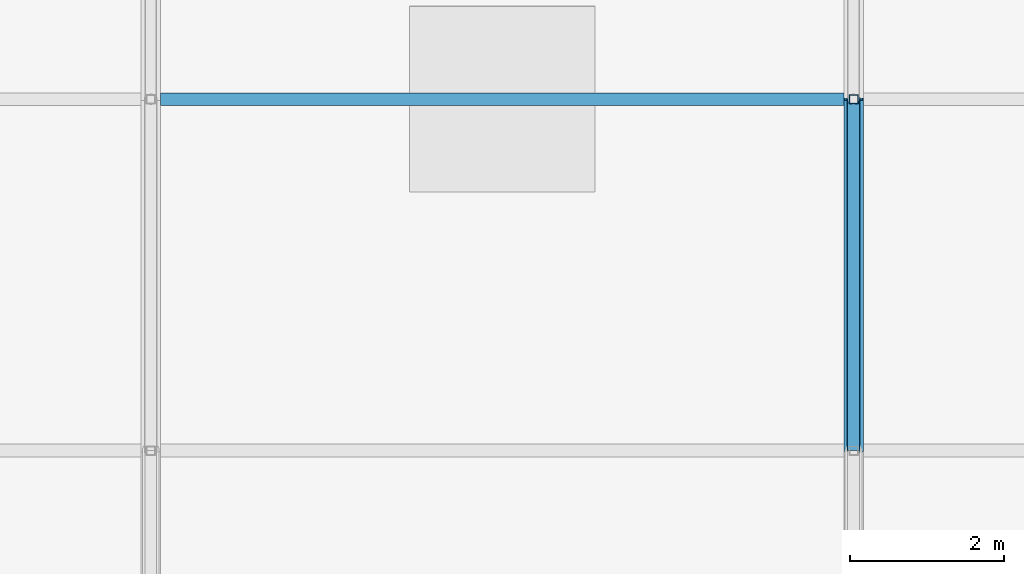
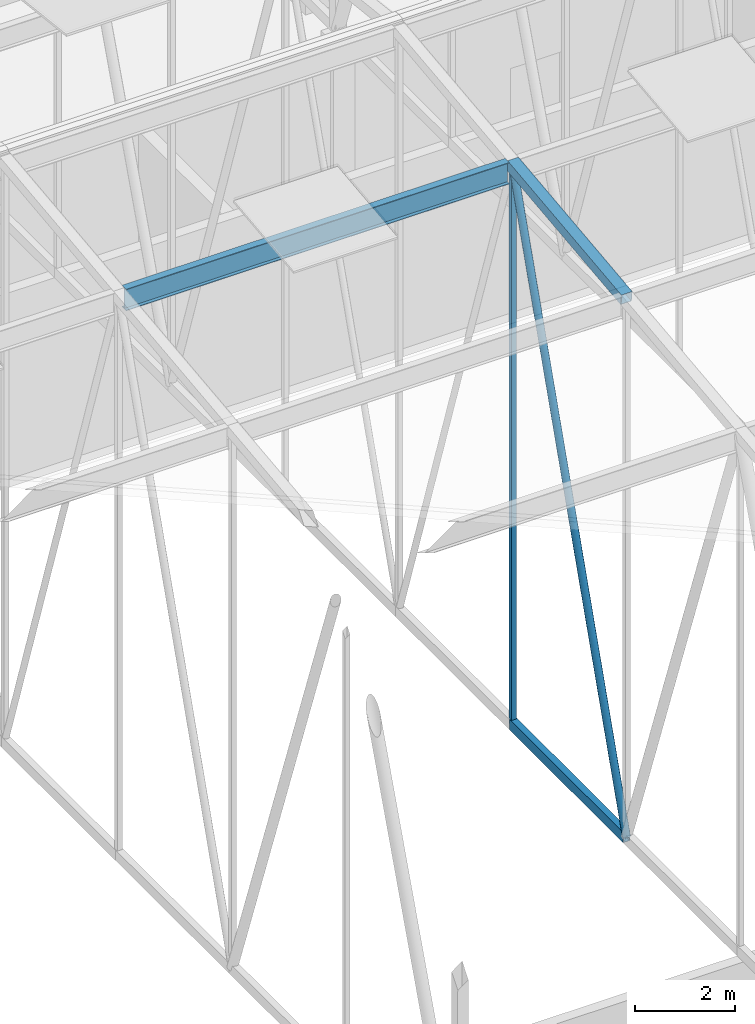
# One storey, part 165 of 500: 5 members.
"""IFC4 building model written with IfcOpenShell, lengths in metres."""

from ifc_helpers import new_model, si_unit, direction, frame, origin, origin_2d, place, context, subcontext, project, spatial, hollow_rectangle, hollow_circle, i_section, extrude, material, material_profile, profile_set, type_object, element, save


model = new_model("IFC4")

# Units and contexts
model_context = context("Model", 3, precision=1e-05, world=origin(), true_north=direction((0.0, 1.0)))
body_context = subcontext(model_context, "Body", "Model", "MODEL_VIEW")
ifc_project = project(units=[si_unit("LENGTHUNIT", "METRE"), si_unit("AREAUNIT", "SQUARE_METRE"), si_unit("VOLUMEUNIT", "CUBIC_METRE"), si_unit("PLANEANGLEUNIT", "RADIAN"), si_unit("MASSUNIT", "GRAM", prefix="KILO")], contexts=[model_context])

# Site, building, storey
site_placement = place(None, origin())
site = spatial("IfcSite", under=ifc_project, at=site_placement, CompositionType="ELEMENT")
building_placement = place(site_placement, origin())
building = spatial("IfcBuilding", under=site, at=building_placement, Name="Shirokan Park Arena", CompositionType="ELEMENT")
storey_placement = place(building_placement, frame((0.0, 0.0, 29.1201171875)))
storey = spatial("IfcBuildingStorey", under=building, at=storey_placement, Name="L06", CompositionType="ELEMENT", Elevation=29.1201171875)

# Members
ifc_material_1 = material(Name="Steel ASTM A500 Grade C", Category="steel")
ifc_material_profile_1 = material_profile(ifc_material_1, hollow_rectangle(XDim=0.152099609375, YDim=0.25390625, WallThickness=0.009521484375, at=origin_2d()), Name="HSS254X152.4X9.5")
ifc_profile_set_1 = profile_set([ifc_material_profile_1], Name="Steel ASTM A500 Grade C")
member_type_1 = type_object("IfcMemberType", Name="Bottom chord HSS254X152.4X9.5", PredefinedType="CHORD", material=ifc_profile_set_1)
member_1_placement = place(storey_placement, frame((118.300048828125, 45.5, 4.677001953125), z_axis=(0.0, 1.0, 0.0), x_axis=(-1.0, 0.0, 0.0)))
element("IfcMember", 1, at=member_1_placement, inside=storey, type_object=member_type_1, Name="Truss T14 bottom chord 13", PredefinedType="CHORD", context=body_context, shape_type="SweptSolid", body=[
    extrude(hollow_rectangle(XDim=0.152099609375, YDim=0.25390625, WallThickness=0.009521484375, at=origin_2d()), origin(), (0.0, 0.0, 1.0), 4.550048828125),
])
ifc_material_2 = material(Name="Steel ASTM A992", Category="steel")
ifc_material_profile_2 = material_profile(ifc_material_2, i_section(OverallWidth=0.166015625, OverallDepth=0.528076171875, WebThickness=0.009765625, FlangeThickness=0.013671875, at=origin_2d()), Name="W530X74")
ifc_profile_set_2 = profile_set([ifc_material_profile_2], Name="Steel ASTM A992")
member_type_2 = type_object("IfcMemberType", Name="Purlin W530X74", PredefinedType="PURLIN", material=ifc_profile_set_2)
member_2_placement = place(storey_placement, frame((109.326904296875, 50.050048828125, 18.205810546875), z_axis=(1.0, 0.0, 0.0), x_axis=(0.0, 1.0, 0.0)))
element("IfcMember", 2, at=member_2_placement, inside=storey, type_object=member_type_2, Name="Purlin 14 bay 13", PredefinedType="PURLIN", context=body_context, shape_type="SweptSolid", body=[
    extrude(i_section(OverallWidth=0.166015625, OverallDepth=0.528076171875, WebThickness=0.009765625, FlangeThickness=0.013671875, at=origin_2d()), origin(), (0.0, 0.0, 1.0), 8.84619140625),
])
ifc_material_profile_3 = material_profile(ifc_material_1, hollow_rectangle(XDim=0.25390625, YDim=0.25390625, WallThickness=0.009521484375, at=origin_2d()), Name="HSS254X254X9.5")
ifc_profile_set_3 = profile_set([ifc_material_profile_3], Name="Steel ASTM A500 Grade C")
member_type_3 = type_object("IfcMemberType", Name="Top chord HSS254X254X9.5", PredefinedType="CHORD", material=ifc_profile_set_3)
member_3_placement = place(storey_placement, frame((118.300048828125, 45.5, 17.822998046875), z_axis=(0.0, 0.993538341779, 0.113496975353), x_axis=(-1.0, 0.0, 0.0)))
element("IfcMember", 3, at=member_3_placement, inside=storey, type_object=member_type_3, Name="Truss T14 top chord 13", PredefinedType="CHORD", context=body_context, shape_type="SweptSolid", body=[
    extrude(hollow_rectangle(XDim=0.25390625, YDim=0.25390625, WallThickness=0.009521484375, at=origin_2d()), origin(), (0.0, 0.0, 1.0), 4.57958984375),
])
ifc_material_profile_4 = material_profile(ifc_material_1, hollow_circle(Radius=0.083984375, WallThickness=0.009521484375, at=origin_2d()), Name="HSS168.3X9.5")
ifc_profile_set_4 = profile_set([ifc_material_profile_4], Name="Steel ASTM A500 Grade C")
member_type_4 = type_object("IfcMemberType", Name="Truss diagonal HSS168.3X9.5", PredefinedType="BRACE", material=ifc_profile_set_4)
member_4_placement = place(storey_placement, frame((118.300048828125, 45.5, 4.677001953125), z_axis=(0.0, 0.315902302102, 0.948791723998), x_axis=(-1.0, 0.0, 0.0)))
element("IfcMember", 4, at=member_4_placement, inside=storey, type_object=member_type_4, Name="Truss T14 diagonal 13", PredefinedType="BRACE", context=body_context, shape_type="SweptSolid", body=[
    extrude(hollow_circle(Radius=0.083984375, WallThickness=0.009521484375, at=origin_2d()), origin(), (0.0, 0.0, 1.0), 14.4033203125),
])
ifc_material_profile_5 = material_profile(ifc_material_1, hollow_rectangle(XDim=0.114013671875, YDim=0.114013671875, WallThickness=0.00634765625, at=origin_2d()), Name="HSS114.3X114.3X6.4")
ifc_profile_set_5 = profile_set([ifc_material_profile_5], Name="Steel ASTM A500 Grade C")
member_type_5 = type_object("IfcMemberType", Name="Truss post HSS114.3X114.3X6.4", PredefinedType="POST", material=ifc_profile_set_5)
member_5_placement = place(storey_placement, frame((118.300048828125, 50.050048828125, 4.677001953125), z_axis=(0.0, 0.0, 1.0), x_axis=(1.0, 0.0, 0.0)))
element("IfcMember", 5, at=member_5_placement, inside=storey, type_object=member_type_5, Name="Truss T14 post 14", PredefinedType="POST", context=body_context, shape_type="SweptSolid", body=[
    extrude(hollow_rectangle(XDim=0.114013671875, YDim=0.114013671875, WallThickness=0.00634765625, at=origin_2d()), origin(), (0.0, 0.0, 1.0), 13.665771484375),
])

save(model, "model.ifc")
